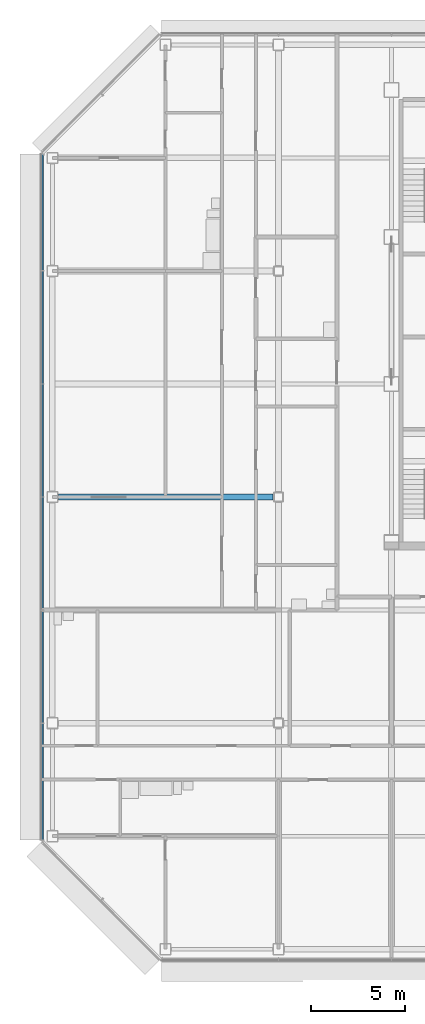
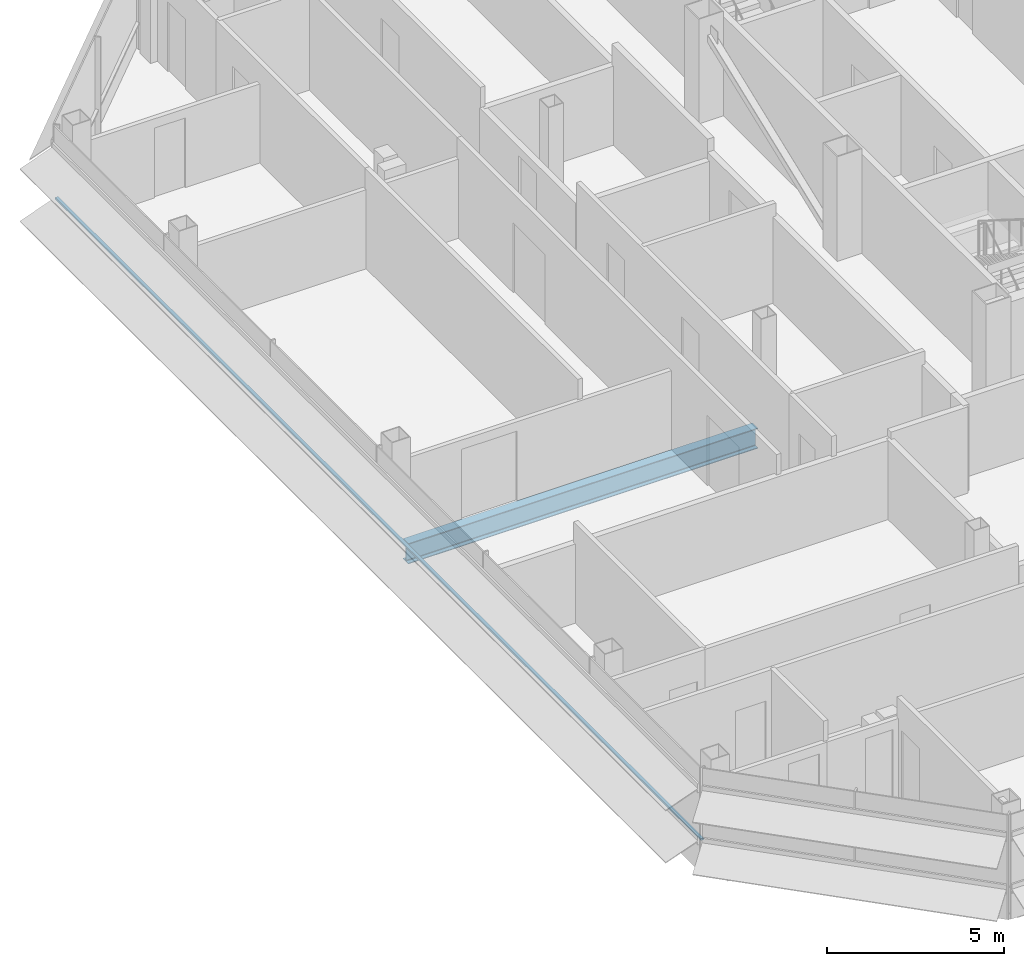
# One storey, part 6 of 27: 1 beam, 1 member, 1 element without a shape of its own.
"""IFC4 building model written with IfcOpenShell, lengths in metres."""

from ifc_helpers import new_model, si_unit, direction, frame, origin, origin_2d, place, context, subcontext, project, spatial, rectangle, i_section, extrude, material, material_profile, profile_set, type_object, element, aggregate, save


model = new_model("IFC4")

# Units and contexts
model_context = context("Model", 3, precision=1e-05, world=origin(), true_north=direction((0.0, 1.0)))
body_context = subcontext(model_context, "Body", "Model", "MODEL_VIEW")
ifc_project = project(units=[si_unit("LENGTHUNIT", "METRE"), si_unit("AREAUNIT", "SQUARE_METRE"), si_unit("VOLUMEUNIT", "CUBIC_METRE"), si_unit("PLANEANGLEUNIT", "RADIAN"), si_unit("MASSUNIT", "GRAM", prefix="KILO")], contexts=[model_context])

# Site, building, storey
site_placement = place(None, origin())
site = spatial("IfcSite", under=ifc_project, at=site_placement, CompositionType="ELEMENT")
building_placement = place(site_placement, origin())
building = spatial("IfcBuilding", under=site, at=building_placement, Name="Sorahane Residences", CompositionType="ELEMENT")
storey_placement = place(building_placement, frame((0.0, 0.0, 246.800048828125)))
storey = spatial("IfcBuildingStorey", under=building, at=storey_placement, Name="L58", CompositionType="ELEMENT", Elevation=246.800048828125)

# Curtain wall, member
ifc_material_1 = material(Name="Dark low-e glass and black anodised aluminium", Category="aluminium")
curtain_wall_type = type_object("IfcCurtainWallType", Name="Curtain wall CW-1 Typical unitised wall", PredefinedType="NOTDEFINED", material=ifc_material_1)
curtain_wall_placement = place(storey_placement, origin())
curtain_wall = element("IfcCurtainWall", 1, at=curtain_wall_placement, inside=storey, type_object=curtain_wall_type, Name="CW-1 curtain wall L58 W1", PredefinedType="NOTDEFINED")
ifc_material_2 = material(Name="Black anodised aluminium", Category="aluminium")
ifc_material_profile_1 = material_profile(ifc_material_2, rectangle(XDim=0.10009765625, YDim=0.06005859375, at=origin_2d()), Name="Curtain wall transom CW-1 black anodised aluminium 60x100")
ifc_profile_set_1 = profile_set([ifc_material_profile_1], Name="Black anodised aluminium")
member_type = type_object("IfcMemberType", Name="Curtain wall transom CW-1 black anodised aluminium 60x100", PredefinedType="USERDEFINED", material=ifc_profile_set_1)
member_placement = place(storey_placement, frame((-12.530029296875, 42.198486328125, 0.89990234375), z_axis=(0.0, -1.0, 0.0), x_axis=(1.0, 0.0, 0.0)))
member = element("IfcMember", 2, at=member_placement, type_object=member_type, Name="CW-1 transom L58 W1", ObjectType="TRANSOM", PredefinedType="USERDEFINED", context=body_context, shape_type="SweptSolid", body=[
    extrude(rectangle(XDim=0.10009765625, YDim=0.06005859375, at=origin_2d()), origin(), (0.0, 0.0, 1.0), 36.39697265625),
])
aggregate(curtain_wall, [member])

# Beam
ifc_material_3 = material(Name="Steel Q355B", Category="steel")
ifc_material_profile_2 = material_profile(ifc_material_3, i_section(OverallWidth=0.300048828125, OverallDepth=0.699951171875, WebThickness=0.012939453125, FlangeThickness=0.02392578125, FilletRadius=0.028076171875, at=origin_2d()), Name="HN 700x300x13x24")
ifc_profile_set_2 = profile_set([ifc_material_profile_2], Name="Steel Q355B")
beam_type = type_object("IfcBeamType", Name="Steel floor beam HN 700x300x13x24 Q355B", PredefinedType="BEAM", material=ifc_profile_set_2)
beam_placement = place(storey_placement, frame((-11.675048828125, 24.0, -0.530029296875), z_axis=(1.0, 0.0, 0.0), x_axis=(0.0, 1.0, 0.0)))
element("IfcBeam", 3, at=beam_placement, inside=storey, type_object=beam_type, Name="Beam L58 011", PredefinedType="BEAM", context=body_context, shape_type="SweptSolid", body=[
    extrude(i_section(OverallWidth=0.300048828125, OverallDepth=0.699951171875, WebThickness=0.012939453125, FlangeThickness=0.02392578125, FilletRadius=0.028076171875, at=origin_2d()), origin(), (0.0, 0.0, 1.0), 11.375),
])

save(model, "model.ifc")
